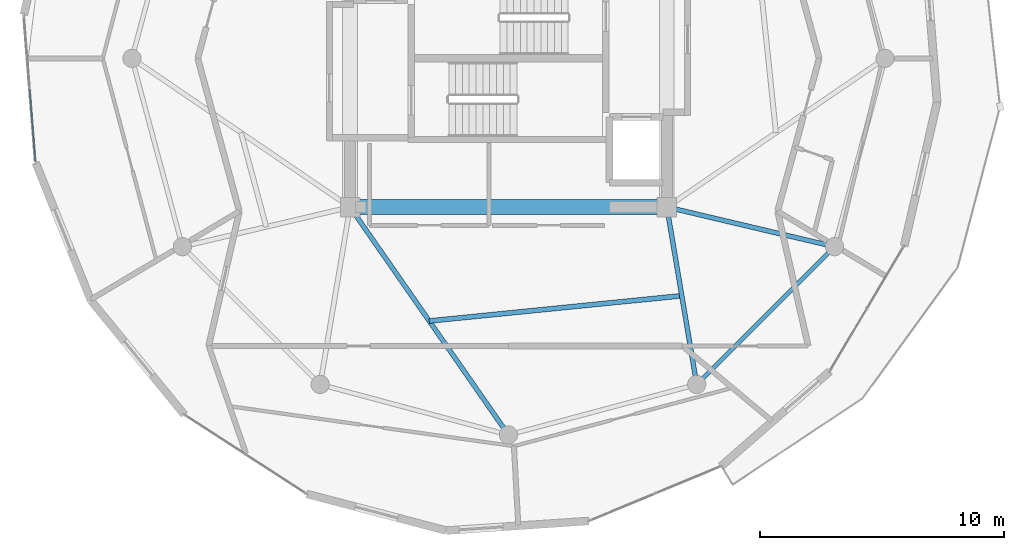
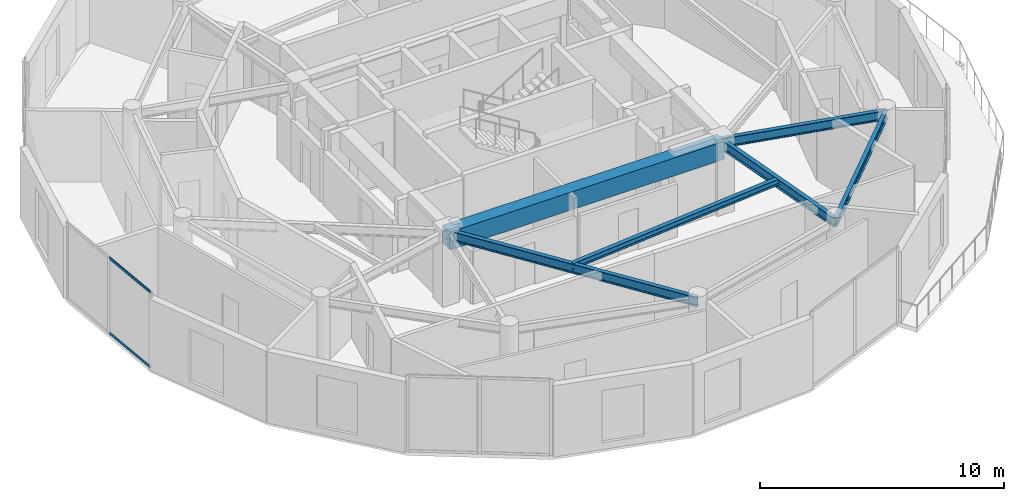
# One storey, part 7 of 22: 6 beams, 2 members, 1 element without a shape of its own.
"""IFC4 building model written with IfcOpenShell, lengths in metres."""

import ifcopenshell
import ifcopenshell.guid

model = None  # the IFC model being written
_history = None  # IfcOwnerHistory: only IFC2X3 demands one
_inside = {}  # id of a spatial element -> (the spatial element, [elements in it])
_under = {}  # id of a project, library or spatial element -> (it, [spatial elements below it])
_declared = {}  # id of a project -> (the project, [libraries it declares])
_typed = {}  # id of a type object -> (the type object, [elements of that type])
_made_of = {}  # id of a material, layer set ... -> (it, [elements and type objects made of it])


def new_model(schema):
    """Start an empty IFC model of exactly this schema.

    Asked for "IFC4X3", IfcOpenShell would pick the latest addendum, in which some entities
    have other attributes; the version numbers below select the first issue.
    IFC2X3 requires an IfcOwnerHistory on every rooted entity: one is made here for all.
    """
    global model, _history
    if schema == "IFC4X3":
        model = ifcopenshell.file(schema_version=(4, 3, 0, 0))
    else:
        model = ifcopenshell.file(schema=schema)
    _inside.clear()
    _under.clear()
    _declared.clear()
    _typed.clear()
    _made_of.clear()
    _history = None
    if model.schema == "IFC2X3":
        org = make("IfcOrganization", Name="unknown")
        user = make(
            "IfcPersonAndOrganization",
            ThePerson=make("IfcPerson", FamilyName="unknown"),
            TheOrganization=org,
        )
        app = make(
            "IfcApplication",
            ApplicationDeveloper=org,
            Version="unknown",
            ApplicationFullName="unknown",
            ApplicationIdentifier="unknown",
        )
        _history = make(
            "IfcOwnerHistory",
            OwningUser=user,
            OwningApplication=app,
            ChangeAction="ADDED",
            CreationDate=0,
        )
    return model


def make(cls, **values):
    """One entity of the class cls with the attributes given. An attribute that is None is left unset."""
    return model.create_entity(
        cls, **{name: value for name, value in values.items() if value is not None}
    )


def rooted(cls, **values):
    """An entity with a GlobalId (a new one), such as an element, a storey or a relation."""
    return make(cls, GlobalId=ifcopenshell.guid.new(), OwnerHistory=_history, **values)


def si_unit(unit_type, name, prefix=None):
    """IfcSIUnit, for example si_unit("LENGTHUNIT", "METRE", prefix="MILLI")."""
    return make("IfcSIUnit", UnitType=unit_type, Prefix=prefix, Name=name)


def assignment(units):
    """IfcUnitAssignment: the units of a project."""
    return None if units is None else make("IfcUnitAssignment", Units=units)


def point(xyz):
    """IfcCartesianPoint."""
    return None if xyz is None else make("IfcCartesianPoint", Coordinates=xyz)


def direction(xyz):
    """IfcDirection."""
    return None if xyz is None else make("IfcDirection", DirectionRatios=xyz)


def frame(location, z_axis=None, x_axis=None):
    """IfcAxis2Placement3D, a coordinate frame: its origin and axes. An axis left out is left unset."""
    return make(
        "IfcAxis2Placement3D",
        Location=point(location),
        Axis=direction(z_axis),
        RefDirection=direction(x_axis),
    )


def frame_2d(location, x_axis=None):
    """IfcAxis2Placement2D, a coordinate frame in the plane: its origin and x axis."""
    return make(
        "IfcAxis2Placement2D", Location=point(location), RefDirection=direction(x_axis)
    )


def origin():
    """The frame at (0, 0, 0) with its axes left unset."""
    return frame((0.0, 0.0, 0.0))


def origin_2d():
    """The frame at (0, 0) in the plane with its x axis left unset."""
    return frame_2d((0.0, 0.0))


def place(relative_to, where):
    """IfcLocalPlacement: puts the frame where relative to a parent placement (None: the world)."""
    return make(
        "IfcLocalPlacement", PlacementRelTo=relative_to, RelativePlacement=where
    )


def context(
    kind, dimensions, precision=None, world=None, true_north=None, identifier=None
):
    """IfcGeometricRepresentationContext, for example the 3D "Model" context."""
    return make(
        "IfcGeometricRepresentationContext",
        ContextIdentifier=identifier,
        ContextType=kind,
        CoordinateSpaceDimension=dimensions,
        Precision=precision,
        WorldCoordinateSystem=world,
        TrueNorth=true_north,
    )


def subcontext(parent, identifier, kind, view, scale=None):
    """IfcGeometricRepresentationSubContext, for example "Body" below "Model"."""
    return make(
        "IfcGeometricRepresentationSubContext",
        ContextIdentifier=identifier,
        ContextType=kind,
        ParentContext=parent,
        TargetScale=scale,
        TargetView=view,
    )


def project(units=None, contexts=None):
    """IfcProject with its units and contexts."""
    return rooted(
        "IfcProject",
        Name="project",
        RepresentationContexts=contexts,
        UnitsInContext=assignment(units),
    )


def spatial(cls, under=None, at=None, **own):
    """A site, building, storey or space (cls), placed at a placement, below another one or the project."""
    s = rooted(cls, ObjectPlacement=at, **own)
    if under is not None:
        _under.setdefault(under.id(), (under, []))[1].append(s)
    return s


def profile(cls, at=None, kind="AREA", **sizes):
    """A parametric profile (cls). Its sizes go by their IFC names, for example OverallWidth=200.0."""
    return make(cls, ProfileType=kind, Position=at, **sizes)


def rectangle(**sizes):
    """IfcRectangleProfileDef."""
    return profile("IfcRectangleProfileDef", **sizes)


def hollow_rectangle(**sizes):
    """IfcRectangleHollowProfileDef."""
    return profile("IfcRectangleHollowProfileDef", **sizes)


def i_section(**sizes):
    """IfcIShapeProfileDef."""
    return profile("IfcIShapeProfileDef", **sizes)


def extrude(swept, where, along, depth):
    """IfcExtrudedAreaSolid: the profile swept, set in the frame where, extruded along a direction by depth."""
    return make(
        "IfcExtrudedAreaSolid",
        SweptArea=swept,
        Position=where,
        ExtrudedDirection=direction(along),
        Depth=depth,
    )


def shape(context_of_items, identifier, shape_type, items):
    """IfcShapeRepresentation: the items that make up one representation, for example the "Body"."""
    return make(
        "IfcShapeRepresentation",
        ContextOfItems=context_of_items,
        RepresentationIdentifier=identifier,
        RepresentationType=shape_type,
        Items=items,
    )


def source(mapping_origin, context_of_items, identifier, shape_type, items):
    """IfcRepresentationMap: a shape defined once, which mapped items show again and again."""
    return make(
        "IfcRepresentationMap",
        MappingOrigin=mapping_origin,
        MappedRepresentation=shape(context_of_items, identifier, shape_type, items),
    )


def transform(
    local_origin,
    x_axis=None,
    y_axis=None,
    z_axis=None,
    scale=None,
    scale2=None,
    scale3=None,
    uniform=True,
):
    """IfcCartesianTransformationOperator3D, or its non-uniform kind. x_axis, y_axis, z_axis: its Axis1, 2, 3."""
    if uniform:
        return make(
            "IfcCartesianTransformationOperator3D",
            Axis1=direction(x_axis),
            Axis2=direction(y_axis),
            LocalOrigin=point(local_origin),
            Scale=scale,
            Axis3=direction(z_axis),
        )
    return make(
        "IfcCartesianTransformationOperator3DnonUniform",
        Axis1=direction(x_axis),
        Axis2=direction(y_axis),
        LocalOrigin=point(local_origin),
        Scale=scale,
        Axis3=direction(z_axis),
        Scale2=scale2,
        Scale3=scale3,
    )


def mapped(mapping_source, mapping_target):
    """IfcMappedItem: shows the shape of a source again, moved by a transform."""
    return make(
        "IfcMappedItem", MappingSource=mapping_source, MappingTarget=mapping_target
    )


def material(Name=None, Category=None):
    """IfcMaterial."""
    return make("IfcMaterial", Name=Name, Category=Category)


def layer(
    of_material, thickness, ventilated=None, Name=None, Category=None, Priority=None
):
    """IfcMaterialLayer: one layer of a wall or slab, of a material (None: an air gap)."""
    return make(
        "IfcMaterialLayer",
        Material=of_material,
        LayerThickness=thickness,
        IsVentilated=ventilated,
        Name=Name,
        Category=Category,
        Priority=Priority,
    )


def layer_set(layers, Name=None):
    """IfcMaterialLayerSet."""
    return make("IfcMaterialLayerSet", MaterialLayers=layers, LayerSetName=Name)


def material_profile(
    of_material, cross_section, Name=None, Category=None, Priority=None
):
    """IfcMaterialProfile: a cross section and its material."""
    return make(
        "IfcMaterialProfile",
        Name=Name,
        Material=of_material,
        Profile=cross_section,
        Priority=Priority,
        Category=Category,
    )


def profile_set(profiles, Name=None, composite=None):
    """IfcMaterialProfileSet."""
    return make(
        "IfcMaterialProfileSet",
        Name=Name,
        MaterialProfiles=profiles,
        CompositeProfile=composite,
    )


def made_of(thing, what):
    """Note that an element or type object is made of a material, layer set ...; save() writes the relation."""
    if what is not None:
        _made_of.setdefault(what.id(), (what, []))[1].append(thing)
    return thing


def type_object(cls, material=None, **own):
    """A type object (cls), such as IfcWallType, which elements share."""
    return made_of(rooted(cls, **own), material)


def element(
    cls,
    number,
    at=None,
    inside=None,
    cuts=None,
    type_object=None,
    material=None,
    context=None,
    identifier="Body",
    shape_type=None,
    held_by="IfcProductDefinitionShape",
    body=None,
    shapes=None,
    **own,
):
    """One element of the class cls, such as IfcWall. Its Tag is "e" and its number.

    at: its placement. inside: the storey or other place that contains it. cuts: it is an
    opening in that element (IfcRelVoidsElement). A single representation is given by context,
    identifier, shape_type and body (its items); several are given by shapes. held_by: the class
    of the entity that holds the representations. save() writes the other relations.
    """
    e = rooted(cls, Tag="e%d" % number, ObjectPlacement=at, **own)
    if body is not None:
        shapes = [shape(context, identifier, shape_type, body)]
    if shapes is not None:
        e.Representation = make(held_by, Representations=shapes)
    if inside is not None:
        _inside.setdefault(inside.id(), (inside, []))[1].append(e)
    if cuts is not None:
        rooted(
            "IfcRelVoidsElement", RelatingBuildingElement=cuts, RelatedOpeningElement=e
        )
    if type_object is not None:
        _typed.setdefault(type_object.id(), (type_object, []))[1].append(e)
    return made_of(e, material)


def aggregate(whole, parts):
    """IfcRelAggregates: a whole, such as a stair, and the parts it consists of."""
    return rooted("IfcRelAggregates", RelatingObject=whole, RelatedObjects=parts)


def save(model, path):
    """Write the relations noted so far, then the file.

    IfcRelAggregates (storeys below a building ...), IfcRelContainedInSpatialStructure (elements
    in a storey), IfcRelDefinesByType, IfcRelAssociatesMaterial and IfcRelDeclares: one each for
    every whole, place, type object, material and project.
    """
    for whole, parts in _under.values():
        aggregate(whole, parts)
    for where, things in _inside.values():
        rooted(
            "IfcRelContainedInSpatialStructure",
            RelatedElements=things,
            RelatingStructure=where,
        )
    for kind, things in _typed.values():
        rooted("IfcRelDefinesByType", RelatedObjects=things, RelatingType=kind)
    for what, things in _made_of.values():
        rooted("IfcRelAssociatesMaterial", RelatedObjects=things, RelatingMaterial=what)
    for by, libraries in _declared.values():
        rooted("IfcRelDeclares", RelatingContext=by, RelatedDefinitions=libraries)
    model.write(path)


model = new_model("IFC4")

# Units and contexts
model_context = context("Model", 3, precision=1e-05, world=origin(), true_north=direction((0.0, 1.0)))
body_context = subcontext(model_context, "Body", "Model", "MODEL_VIEW")
ifc_project = project(units=[si_unit("LENGTHUNIT", "METRE"), si_unit("AREAUNIT", "SQUARE_METRE"), si_unit("VOLUMEUNIT", "CUBIC_METRE"), si_unit("PLANEANGLEUNIT", "RADIAN"), si_unit("MASSUNIT", "GRAM", prefix="KILO")], contexts=[model_context])

# Site, building, storey
site_placement = place(None, origin())
site = spatial("IfcSite", under=ifc_project, at=site_placement, CompositionType="ELEMENT")
building_placement = place(site_placement, origin())
building = spatial("IfcBuilding", under=site, at=building_placement, Name="Solvirekh Grand Hotel", CompositionType="ELEMENT")
storey_placement = place(building_placement, frame((0.0, 0.0, 243.0)))
storey = spatial("IfcBuildingStorey", under=building, at=storey_placement, Name="L63", CompositionType="ELEMENT", Elevation=243.0)

# Beams
ifc_material_1 = material(Name="Concrete C50/60", Category="concrete")
ifc_material_profile_1 = material_profile(ifc_material_1, rectangle(XDim=0.60009765625, YDim=0.89990234375, at=origin_2d()), Name="RC BEAM 600X900")
ifc_profile_set_1 = profile_set([ifc_material_profile_1], Name="Concrete C50/60")
beam_type_1 = type_object("IfcBeamType", Name="Beam_Core_RC900", PredefinedType="BEAM", material=ifc_profile_set_1)
beam_1_placement = place(storey_placement, frame((-6.5, -6.10009765625, 3.1201171875), z_axis=(1.0, 0.0, 0.0), x_axis=(0.0, 1.0, 0.0)))
element("IfcBeam", 1, at=beam_1_placement, inside=storey, type_object=beam_type_1, Name="L63 core coupling ring beam 1", PredefinedType="BEAM", context=body_context, shape_type="SweptSolid", body=[
    extrude(rectangle(XDim=0.60009765625, YDim=0.89990234375, at=origin_2d()), origin(), (0.0, 0.0, 1.0), 13.0),
])
ifc_material_2 = material(Name="Steel S355", Category="steel")
ifc_material_profile_2 = material_profile(ifc_material_2, i_section(OverallWidth=0.194091796875, OverallDepth=0.468994140625, WebThickness=0.010986328125, FlangeThickness=0.01904296875, FilletRadius=0.012939453125, at=origin_2d()), Name="W460X106")
ifc_profile_set_2 = profile_set([ifc_material_profile_2], Name="Steel S355")
beam_type_2 = type_object("IfcBeamType", Name="Beam_Radial_W460H", PredefinedType="BEAM", material=ifc_profile_set_2)
beam_2_placement = place(storey_placement, frame((-6.5, -6.10009765625, 3.3349609375), z_axis=(0.570813192472, -0.821079959139, 0.0), x_axis=(0.821079959139, 0.570813192472, 0.0)))
element("IfcBeam", 2, at=beam_2_placement, inside=storey, type_object=beam_type_2, Name="L63 radial floor beam R10", PredefinedType="BEAM", context=body_context, shape_type="SweptSolid", body=[
    extrude(i_section(OverallWidth=0.194091796875, OverallDepth=0.468994140625, WebThickness=0.010986328125, FlangeThickness=0.01904296875, FilletRadius=0.012939453125, at=origin_2d()), origin(), (0.0, 0.0, 1.0), 11.38720703125),
])
beam_3_placement = place(storey_placement, frame((6.5, -6.10009765625, 3.3349609375), z_axis=(0.165954049106, -0.986133486697, 0.0), x_axis=(0.986133486697, 0.165954049106, 0.0)))
element("IfcBeam", 3, at=beam_3_placement, inside=storey, type_object=beam_type_2, Name="L63 radial floor beam R11", PredefinedType="BEAM", context=body_context, shape_type="SweptSolid", body=[
    extrude(i_section(OverallWidth=0.194091796875, OverallDepth=0.468994140625, WebThickness=0.010986328125, FlangeThickness=0.01904296875, FilletRadius=0.012939453125, at=origin_2d()), origin(), (0.0, 0.0, 1.0), 7.382080078125),
])
beam_4_placement = place(storey_placement, frame((6.5, -6.10009765625, 3.3349609375), z_axis=(0.973221147544, -0.229870828888, 0.0), x_axis=(0.229870828888, 0.973221147544, 0.0)))
element("IfcBeam", 4, at=beam_4_placement, inside=storey, type_object=beam_type_2, Name="L63 radial floor beam R12", PredefinedType="BEAM", context=body_context, shape_type="SweptSolid", body=[
    extrude(i_section(OverallWidth=0.194091796875, OverallDepth=0.468994140625, WebThickness=0.010986328125, FlangeThickness=0.01904296875, FilletRadius=0.012939453125, at=origin_2d()), origin(), (0.0, 0.0, 1.0), 7.069091796875),
])
ifc_material_profile_3 = material_profile(ifc_material_2, i_section(OverallWidth=0.202880859375, OverallDepth=0.302978515625, WebThickness=0.008056640625, FlangeThickness=0.012939453125, FilletRadius=0.010009765625, at=origin_2d()), Name="W310X60")
ifc_profile_set_3 = profile_set([ifc_material_profile_3], Name="Steel S355")
beam_type_3 = type_object("IfcBeamType", Name="Joist_Floor_W310", PredefinedType="JOIST", material=ifc_profile_set_3)
beam_5_placement = place(storey_placement, frame((-3.25, -10.77490234375, 3.41796875), z_axis=(0.995049485097, 0.099380693338, 0.0), x_axis=(-0.099380693338, 0.995049485097, 0.0)))
element("IfcBeam", 5, at=beam_5_placement, inside=storey, type_object=beam_type_3, Name="L63 secondary composite floor joist 10", PredefinedType="JOIST", context=body_context, shape_type="SweptSolid", body=[
    extrude(i_section(OverallWidth=0.202880859375, OverallDepth=0.302978515625, WebThickness=0.008056640625, FlangeThickness=0.012939453125, FilletRadius=0.010009765625, at=origin_2d()), origin(), (0.0, 0.0, 1.0), 10.41357421875),
])
ifc_material_profile_4 = material_profile(ifc_material_2, i_section(OverallWidth=0.180908203125, OverallDepth=0.4169921875, WebThickness=0.010009765625, FlangeThickness=0.01611328125, FilletRadius=0.011962890625, at=origin_2d()), Name="W410X85")
ifc_profile_set_4 = profile_set([ifc_material_profile_4], Name="Steel S355")
beam_type_4 = type_object("IfcBeamType", Name="Spandrel_Ring_W410", PredefinedType="SPANDREL", material=ifc_profile_set_4)
beam_6_placement = place(storey_placement, frame((7.72509765625, -13.3798828125, 3.362060546875), z_axis=(0.707106781187, 0.707106781187, 0.0), x_axis=(-0.707106781187, 0.707106781187, 0.0)))
element("IfcBeam", 6, at=beam_6_placement, inside=storey, type_object=beam_type_4, Name="L63 perimeter spandrel beam 11", PredefinedType="SPANDREL", context=body_context, shape_type="SweptSolid", body=[
    extrude(i_section(OverallWidth=0.180908203125, OverallDepth=0.4169921875, WebThickness=0.010009765625, FlangeThickness=0.01611328125, FilletRadius=0.011962890625, at=origin_2d()), origin(), (0.0, 0.0, 1.0), 7.9970703125),
])

# Curtain wall, members
ifc_material_3 = material(Name="Anodized Bronze Aluminium 6063-T6", Category="aluminium")
ifc_layer = layer(ifc_material_3, 0.159912109375)
ifc_layer_set = layer_set([ifc_layer], Name="Anodized Bronze Aluminium 6063-T6")
curtain_wall_type = type_object("IfcCurtainWallType", Name="CW_Sys4_HighZoneFlushBronzeCW", PredefinedType="NOTDEFINED", material=ifc_layer_set)
curtain_wall_placement = place(storey_placement, origin())
curtain_wall = element("IfcCurtainWall", 7, at=curtain_wall_placement, inside=storey, type_object=curtain_wall_type, Name="L63 unitised bronze-glass curtain wall CW-L63-C15", PredefinedType="NOTDEFINED")
ifc_material_profile_5 = material_profile(ifc_material_3, hollow_rectangle(XDim=0.054931640625, YDim=0.1201171875, WallThickness=0.00390625, at=origin_2d()), Name="ALU RHS 120X55X4")
ifc_profile_set_5 = profile_set([ifc_material_profile_5], Name="Anodized Bronze Aluminium 6063-T6")
member_type = type_object("IfcMemberType", Name="CWTransom_Sys4", PredefinedType="USERDEFINED", material=ifc_profile_set_5)
shared_shape = source(origin(), body_context, "Body", "SweptSolid", [
    extrude(hollow_rectangle(XDim=0.054931640625, YDim=0.1201171875, WallThickness=0.00390625, at=origin_2d()), origin(), (0.0, 0.0, 1.0), 2.9580078125),
])
member_1_placement = place(storey_placement, frame((-19.6435546875, -1.2734375, 0.027587890625), z_axis=(0.079069432729, -0.996869111172, 0.0), x_axis=(0.996869111172, 0.079069432729, 0.0)))
member_1 = element("IfcMember", 8, at=member_1_placement, type_object=member_type, Name="U04 transom 2.1", ObjectType="TRANSOM", PredefinedType="USERDEFINED", context=body_context, shape_type="MappedRepresentation", body=[
    mapped(shared_shape, transform((0.0, 0.0, 0.0), x_axis=(1.0, 0.0, 0.0), y_axis=(0.0, 1.0, 0.0), z_axis=(0.0, 0.0, 1.0), scale=1.0)),
])
member_2_placement = place(storey_placement, frame((-19.6435546875, -1.2734375, 3.7724609375), z_axis=(0.079069432729, -0.996869111172, 0.0), x_axis=(0.996869111172, 0.079069432729, 0.0)))
member_2 = element("IfcMember", 9, at=member_2_placement, type_object=member_type, Name="U04 transom 2.2", ObjectType="TRANSOM", PredefinedType="USERDEFINED", context=body_context, shape_type="MappedRepresentation", body=[
    mapped(shared_shape, transform((0.0, 0.0, 0.0), x_axis=(1.0, 0.0, 0.0), y_axis=(0.0, 1.0, 0.0), z_axis=(0.0, 0.0, 1.0), scale=1.0)),
])
aggregate(curtain_wall, [member_1, member_2])

save(model, "model.ifc")
